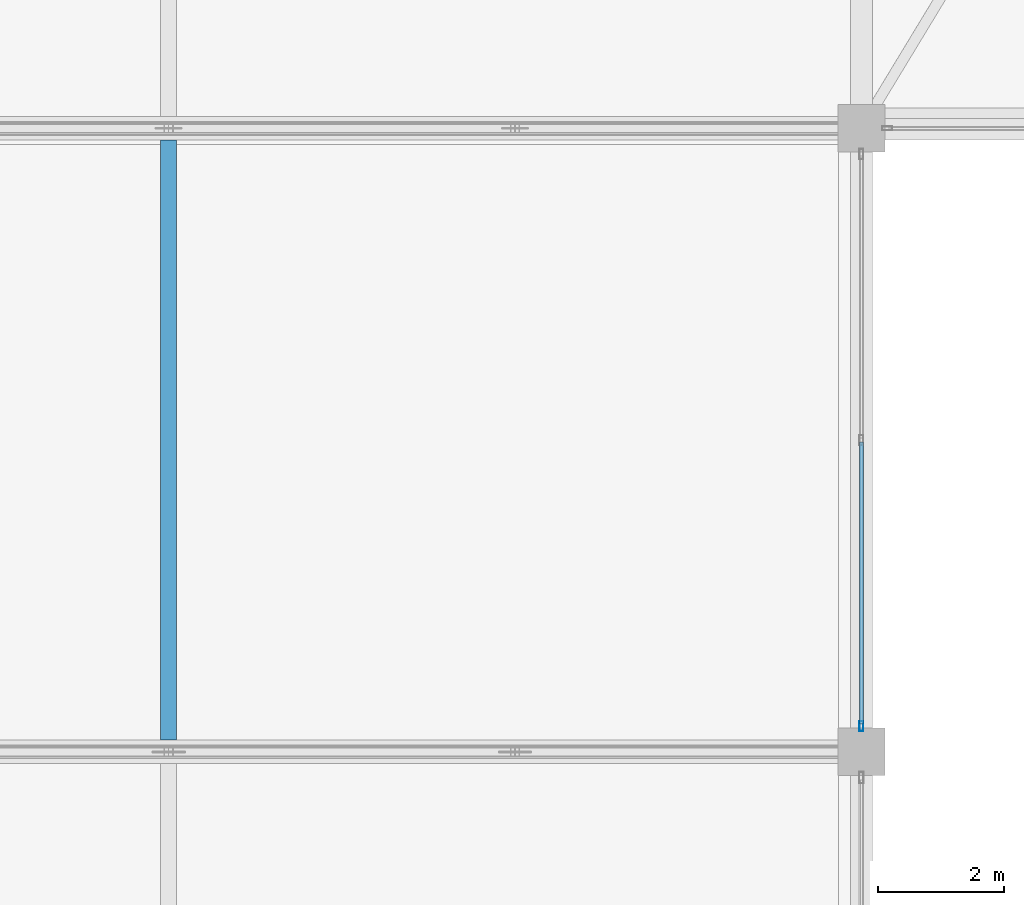
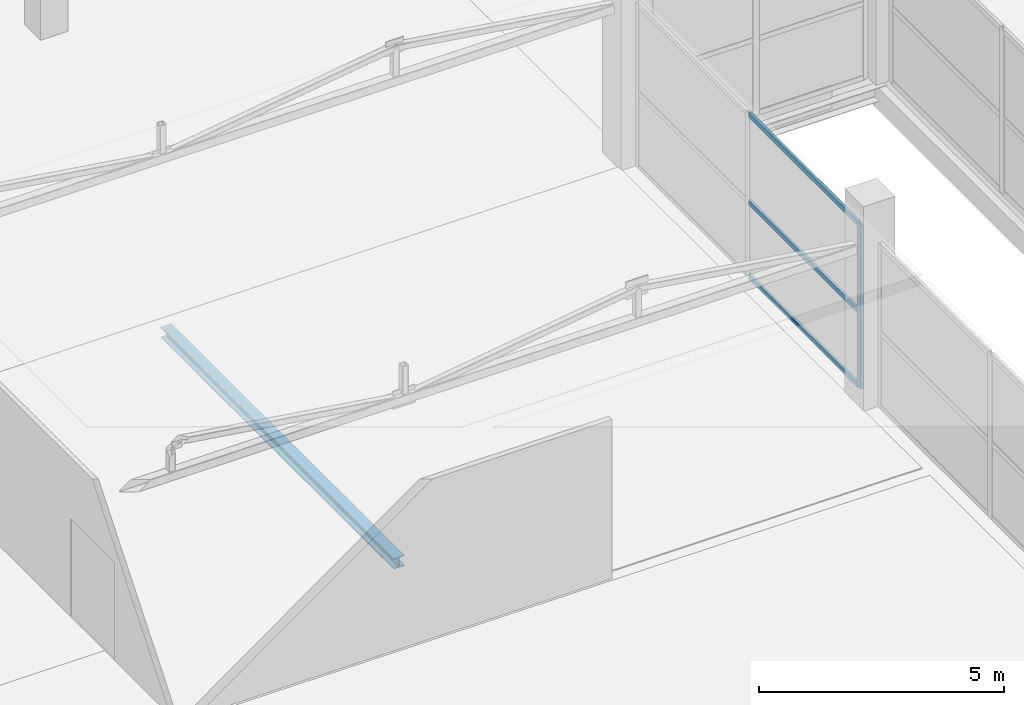
# One storey, part 24 of 67: 4 members, 1 beam, 1 element without a shape of its own.
"""IFC4 building model written with IfcOpenShell, lengths in metres."""

from ifc_helpers import new_model, si_unit, direction, frame, origin, origin_2d, place, context, subcontext, project, spatial, hollow_rectangle, i_section, extrude, material, layer, layer_set, material_profile, profile_set, type_object, element, aggregate, save


model = new_model("IFC4")

# Units and contexts
model_context = context("Model", 3, precision=1e-05, world=origin(), true_north=direction((0.0, 1.0)))
body_context = subcontext(model_context, "Body", "Model", "MODEL_VIEW")
ifc_project = project(units=[si_unit("LENGTHUNIT", "METRE"), si_unit("AREAUNIT", "SQUARE_METRE"), si_unit("VOLUMEUNIT", "CUBIC_METRE"), si_unit("PLANEANGLEUNIT", "RADIAN"), si_unit("MASSUNIT", "GRAM", prefix="KILO")], contexts=[model_context])

# Site, building, storey
site_placement = place(None, origin())
site = spatial("IfcSite", under=ifc_project, at=site_placement, CompositionType="ELEMENT")
building_placement = place(site_placement, origin())
building = spatial("IfcBuilding", under=site, at=building_placement, Name="Sillaruma Civic Art Gallery", CompositionType="ELEMENT")
storey_placement = place(building_placement, frame((0.0, 0.0, 46.919921875)))
storey = spatial("IfcBuildingStorey", under=building, at=storey_placement, Name="L09", CompositionType="ELEMENT", Elevation=46.919921875)

# Beam
ifc_material_1 = material(Name="Structural Steel ASTM A992 Gr.50", Category="steel")
ifc_material_profile_1 = material_profile(ifc_material_1, i_section(OverallWidth=0.256103515625, OverallDepth=0.260009765625, WebThickness=0.0107421875, FlangeThickness=0.017333984375, FilletRadius=0.012939453125, at=origin_2d()), Name="W250x89")
ifc_profile_set_1 = profile_set([ifc_material_profile_1], Name="Structural Steel ASTM A992 Gr.50")
beam_type = type_object("IfcBeamType", Name="BM-JOIST-W250x89", PredefinedType="JOIST", material=ifc_profile_set_1)
beam_placement = place(storey_placement, frame((81.0, 59.58544921875, -0.3798828125), z_axis=(0.0, 1.0, 0.0), x_axis=(-1.0, 0.0, 0.0)))
element("IfcBeam", 1, at=beam_placement, inside=storey, type_object=beam_type, Name="Long-Span Gallery Joist JS-04 (L08:7-8)", PredefinedType="JOIST", context=body_context, shape_type="SweptSolid", body=[
    extrude(i_section(OverallWidth=0.256103515625, OverallDepth=0.260009765625, WebThickness=0.0107421875, FlangeThickness=0.017333984375, FilletRadius=0.012939453125, at=origin_2d()), origin(), (0.0, 0.0, 1.0), 9.529052734375),
])

# Curtain wall, members
ifc_material_2 = material(Name="Thermally Broken Extruded Aluminium 6063-T6", Category="aluminium")
ifc_layer = layer(ifc_material_2, 0.159912109375, Name="Thermally Broken Extruded Aluminium 6063-T6")
ifc_layer_set = layer_set([ifc_layer], Name="Thermally Broken Extruded Aluminium 6063-T6")
curtain_wall_type = type_object("IfcCurtainWallType", Name="CW-UNI-65", PredefinedType="NOTDEFINED", material=ifc_layer_set)
curtain_wall_placement = place(storey_placement, origin())
curtain_wall = element("IfcCurtainWall", 2, at=curtain_wall_placement, inside=storey, type_object=curtain_wall_type, Name="Unitised Curtain Wall CW-65 (CW-L09-WBE-5)", PredefinedType="NOTDEFINED")
ifc_material_profile_2 = material_profile(ifc_material_2, hollow_rectangle(XDim=0.06494140625, YDim=0.159912109375, WallThickness=0.00390625, at=origin_2d()), Name="CWM65x160")
ifc_profile_set_2 = profile_set([ifc_material_profile_2], Name="Thermally Broken Extruded Aluminium 6063-T6")
member_type_1 = type_object("IfcMemberType", Name="MEM-MUL-CWM65x160", PredefinedType="MULLION", material=ifc_profile_set_2)
member_1_placement = place(storey_placement, frame((92.0, 59.8076171875, 0.0), z_axis=(0.0, 0.0, 1.0), x_axis=(-1.0, 0.0, 0.0)))
member_1 = element("IfcMember", 3, at=member_1_placement, type_object=member_type_1, Name="CW-65 mullion 1", PredefinedType="MULLION", context=body_context, shape_type="SweptSolid", body=[
    extrude(hollow_rectangle(XDim=0.06494140625, YDim=0.159912109375, WallThickness=0.00390625, at=origin_2d()), origin(), (0.0, 0.0, 1.0), 4.10009765625),
])
ifc_material_profile_3 = material_profile(ifc_material_2, hollow_rectangle(XDim=0.06494140625, YDim=0.1201171875, WallThickness=0.00341796875, at=origin_2d()), Name="CWT65x120")
ifc_profile_set_3 = profile_set([ifc_material_profile_3], Name="Thermally Broken Extruded Aluminium 6063-T6")
member_type_2 = type_object("IfcMemberType", Name="MEM-TRN-CWT65x120", PredefinedType="USERDEFINED", material=ifc_profile_set_3)
member_2_placement = place(storey_placement, frame((92.0, 59.840087890625, 0.032470703125), z_axis=(0.0, 1.0, 0.0), x_axis=(-1.0, 0.0, 0.0)))
member_2 = element("IfcMember", 4, at=member_2_placement, type_object=member_type_2, Name="CW-65 transom 1.1", ObjectType="TRANSOM", PredefinedType="USERDEFINED", context=body_context, shape_type="SweptSolid", body=[
    extrude(hollow_rectangle(XDim=0.06494140625, YDim=0.1201171875, WallThickness=0.00341796875, at=origin_2d()), origin(), (0.0, 0.0, 1.0), 4.477294921875),
])
member_3_placement = place(storey_placement, frame((92.0, 59.840087890625, 1.885986328125), z_axis=(0.0, 1.0, 0.0), x_axis=(-1.0, 0.0, 0.0)))
member_3 = element("IfcMember", 5, at=member_3_placement, type_object=member_type_2, Name="CW-65 transom 1.2", ObjectType="TRANSOM", PredefinedType="USERDEFINED", context=body_context, shape_type="SweptSolid", body=[
    extrude(hollow_rectangle(XDim=0.06494140625, YDim=0.1201171875, WallThickness=0.00341796875, at=origin_2d()), origin(), (0.0, 0.0, 1.0), 4.477294921875),
])
member_4_placement = place(storey_placement, frame((92.0, 59.840087890625, 4.067626953125), z_axis=(0.0, 1.0, 0.0), x_axis=(-1.0, 0.0, 0.0)))
member_4 = element("IfcMember", 6, at=member_4_placement, type_object=member_type_2, Name="CW-65 transom 1.3", ObjectType="TRANSOM", PredefinedType="USERDEFINED", context=body_context, shape_type="SweptSolid", body=[
    extrude(hollow_rectangle(XDim=0.06494140625, YDim=0.1201171875, WallThickness=0.00341796875, at=origin_2d()), origin(), (0.0, 0.0, 1.0), 4.477294921875),
])
aggregate(curtain_wall, [member_1, member_2, member_3, member_4])

save(model, "model.ifc")
